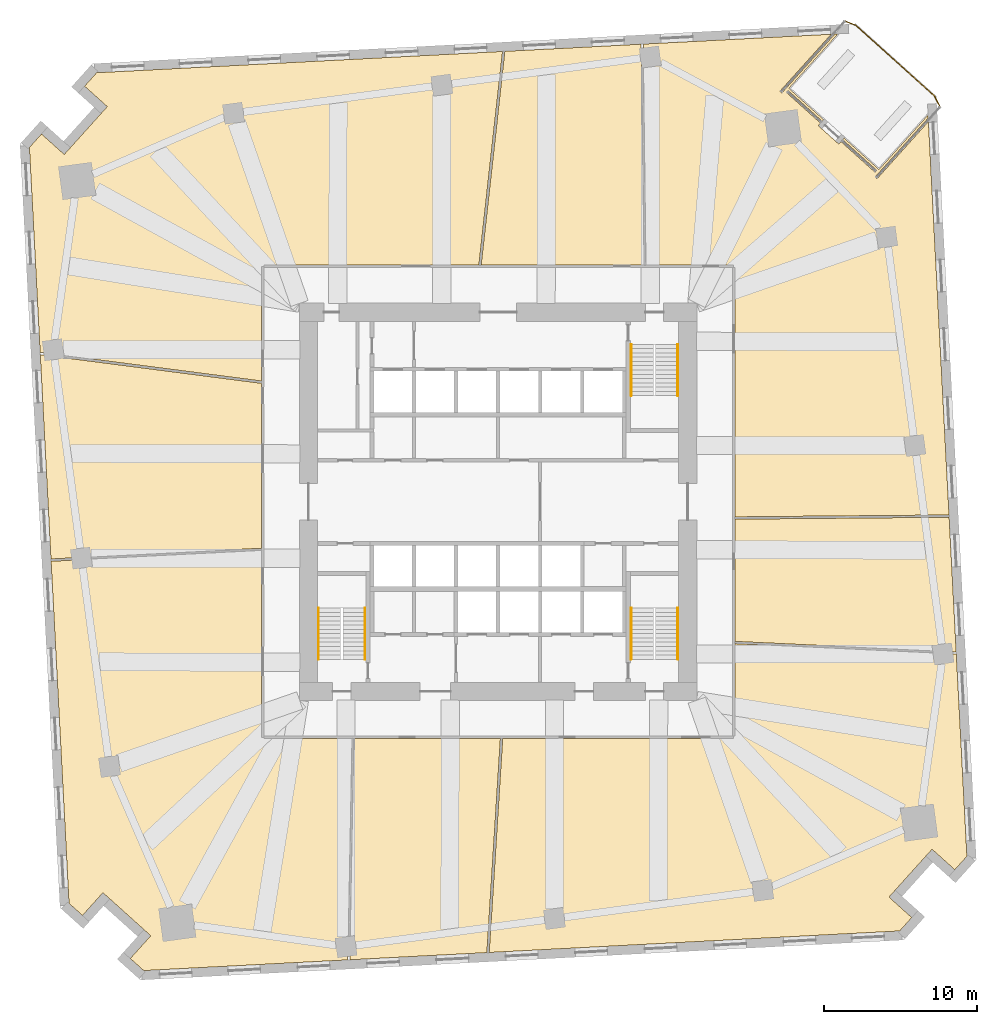
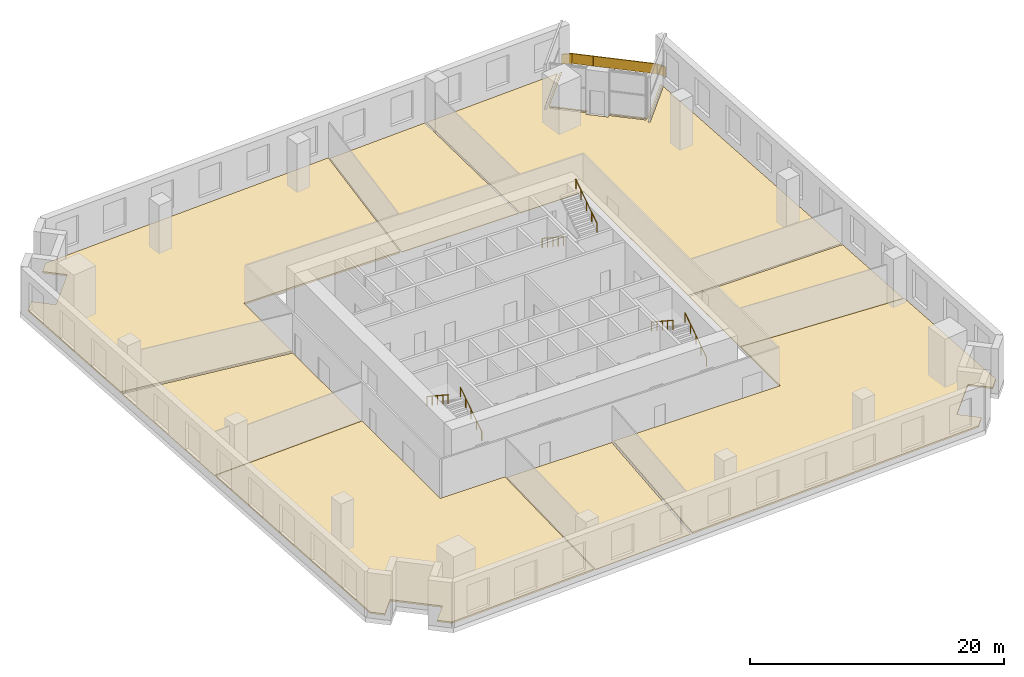
# One storey, part 9 of 10: 8 coverings, 7 railings.
"""IFC4 building model written with IfcOpenShell, lengths in metres."""

from ifc_helpers import new_model, si_unit, direction, frame, origin, origin_2d, place, context, subcontext, project, spatial, polyline, rectangle, circle, outline, extrude, material, layer, layer_set, type_object, element, save


model = new_model("IFC4")

# Units and contexts
model_context = context("Model", 3, precision=1e-05, world=origin(), true_north=direction((0.0, 1.0)))
body_context = subcontext(model_context, "Body", "Model", "MODEL_VIEW")
ifc_project = project(units=[si_unit("LENGTHUNIT", "METRE"), si_unit("AREAUNIT", "SQUARE_METRE"), si_unit("VOLUMEUNIT", "CUBIC_METRE"), si_unit("PLANEANGLEUNIT", "RADIAN"), si_unit("MASSUNIT", "GRAM", prefix="KILO")], contexts=[model_context])

# Site, building, storey
site_placement = place(None, origin())
site = spatial("IfcSite", under=ifc_project, at=site_placement, CompositionType="ELEMENT")
building_placement = place(site_placement, origin())
building = spatial("IfcBuilding", under=site, at=building_placement, Name="Dilmun Exchange Tower", CompositionType="ELEMENT")
storey_placement = place(building_placement, frame((0.0, 0.0, 32.10009765625)))
storey = spatial("IfcBuildingStorey", under=building, at=storey_placement, Name="L07", CompositionType="ELEMENT", Elevation=32.10009765625)

# Coverings
ifc_material_1 = material(Name="Carpet floor finish 50")
ifc_layer_1 = layer(ifc_material_1, 0.050048828125)
ifc_layer_set_1 = layer_set([ifc_layer_1], Name="Carpet floor finish 50")
covering_type_1 = type_object("IfcCoveringType", Name="Carpet floor finish 50", PredefinedType="FLOORING", material=ifc_layer_set_1)
covering_1_placement = place(storey_placement, origin())
element("IfcCovering", 1, at=covering_1_placement, inside=storey, type_object=covering_type_1, Name="Carpet floor finish 50 Trading support office 1", PredefinedType="FLOORING", context=body_context, shape_type="SweptSolid", body=[
    extrude(outline(polyline([(-15.47509765625, 7.75), (-15.47509765625, -3.034423828125), (-29.24267578125, -3.734619140625), (-29.942626953125, 9.6240234375), (-15.47509765625, 7.75)])), origin(), (0.0, 0.0, 1.0), 0.0498046875),
])
covering_2_placement = place(storey_placement, origin())
element("IfcCovering", 2, at=covering_2_placement, inside=storey, type_object=covering_type_1, Name="Carpet floor finish 50 Trading support office 2", PredefinedType="FLOORING", context=body_context, shape_type="SweptSolid", body=[
    extrude(outline(polyline([(0.14599609375, -15.47509765625), (-0.7373046875, -29.47705078125), (-9.691650390625, -29.9462890625), (-9.42041015625, -15.47509765625), (0.14599609375, -15.47509765625)])), origin(), (0.0, 0.0, 1.0), 0.0498046875),
])
covering_3_placement = place(storey_placement, origin())
element("IfcCovering", 3, at=covering_3_placement, inside=storey, type_object=covering_type_1, Name="Carpet floor finish 50 Trading support office 3", PredefinedType="FLOORING", context=body_context, shape_type="SweptSolid", body=[
    extrude(outline(polyline([(-1.112060546875, 15.47509765625), (0.4365234375, 29.461181640625), (9.347412109375, 29.92822265625), (9.529052734375, 15.47509765625), (-1.112060546875, 15.47509765625)])), origin(), (0.0, 0.0, 1.0), 0.0498046875),
])
covering_4_placement = place(storey_placement, origin())
element("IfcCovering", 4, at=covering_4_placement, inside=storey, type_object=covering_type_1, Name="Carpet floor finish 50 Garden lounge", PredefinedType="FLOORING", context=body_context, shape_type="SweptSolid", body=[
    extrude(outline(polyline([(19.01220703125, 27.039306640625), (21.287841796875, 24.990478515625), (21.192138671875, 24.88427734375), (18.972412109375, 26.8828125), (18.97216796875, 26.883056640625), (18.971923828125, 26.88330078125), (18.9716796875, 26.88330078125), (18.9716796875, 26.88330078125), (18.971435546875, 26.88330078125), (18.97119140625, 26.88330078125), (18.970947265625, 26.883544921875), (18.970703125, 26.88330078125), (18.970703125, 26.88330078125), (18.970458984375, 26.88330078125), (18.97021484375, 26.88330078125), (18.97021484375, 26.88330078125), (18.969970703125, 26.88330078125), (18.9697265625, 26.883056640625), (18.969482421875, 26.8828125), (18.969482421875, 26.8828125), (18.8623046875, 26.763916015625), (18.8623046875, 26.763671875), (18.8623046875, 26.763671875), (18.862060546875, 26.763427734375), (18.862060546875, 26.76318359375), (18.86181640625, 26.762939453125), (18.86181640625, 26.7626953125), (18.86181640625, 26.7626953125), (18.86181640625, 26.762451171875), (18.86181640625, 26.76220703125), (18.86181640625, 26.76220703125), (18.862060546875, 26.761962890625), (18.862060546875, 26.76171875), (18.8623046875, 26.761474609375), (18.8623046875, 26.761474609375), (18.8623046875, 26.76123046875), (18.862548828125, 26.760986328125), (21.082275390625, 24.762451171875), (20.9365234375, 24.600341796875), (20.936279296875, 24.60009765625), (20.936279296875, 24.60009765625), (20.93603515625, 24.599853515625), (20.93603515625, 24.599609375), (20.93603515625, 24.599609375), (20.93603515625, 24.599365234375), (20.93603515625, 24.59912109375), (20.93603515625, 24.59912109375), (20.93603515625, 24.598876953125), (20.93603515625, 24.5986328125), (20.93603515625, 24.598388671875), (20.936279296875, 24.59814453125), (20.936279296875, 24.597900390625), (20.936279296875, 24.597900390625), (20.9365234375, 24.59765625), (20.9365234375, 24.59765625), (22.2744140625, 23.39306640625), (22.2744140625, 23.392822265625), (22.274658203125, 23.392822265625), (22.27490234375, 23.392578125), (22.27490234375, 23.392578125), (22.275146484375, 23.392578125), (22.275390625, 23.392578125), (22.275634765625, 23.392578125), (22.27587890625, 23.392578125), (22.27587890625, 23.392578125), (22.276123046875, 23.392578125), (22.2763671875, 23.392578125), (22.276611328125, 23.392822265625), (22.276611328125, 23.392822265625), (22.27685546875, 23.39306640625), (22.277099609375, 23.39306640625), (22.277099609375, 23.393310546875), (22.423095703125, 23.55517578125), (24.642822265625, 21.556396484375), (24.64306640625, 21.556396484375), (24.64306640625, 21.55615234375), (24.643310546875, 21.55615234375), (24.6435546875, 21.55615234375), (24.643798828125, 21.555908203125), (24.643798828125, 21.555908203125), (24.64404296875, 21.555908203125), (24.644287109375, 21.555908203125), (24.64453125, 21.555908203125), (24.644775390625, 21.555908203125), (24.644775390625, 21.55615234375), (24.64501953125, 21.55615234375), (24.645263671875, 21.55615234375), (24.6455078125, 21.556396484375), (24.6455078125, 21.556396484375), (24.645751953125, 21.556640625), (24.752685546875, 21.675537109375), (24.752685546875, 21.67578125), (24.7529296875, 21.67578125), (24.7529296875, 21.676025390625), (24.753173828125, 21.67626953125), (24.753173828125, 21.676513671875), (24.753173828125, 21.676513671875), (24.753173828125, 21.6767578125), (24.753173828125, 21.677001953125), (24.753173828125, 21.67724609375), (24.753173828125, 21.67724609375), (24.753173828125, 21.677490234375), (24.7529296875, 21.677734375), (24.7529296875, 21.677978515625), (24.752685546875, 21.677978515625), (24.752685546875, 21.67822265625), (24.752685546875, 21.67822265625), (22.53271484375, 23.677001953125), (22.62841796875, 23.783447265625), (24.904052734375, 21.734619140625), (28.112548828125, 25.2978515625), (28.123291015625, 25.095947265625), (24.658935546875, 21.24853515625), (24.65869140625, 21.248291015625), (24.65869140625, 21.248291015625), (24.65869140625, 21.248046875), (24.65869140625, 21.247802734375), (24.658447265625, 21.247802734375), (24.658447265625, 21.24755859375), (24.658447265625, 21.247314453125), (24.658447265625, 21.2470703125), (24.658447265625, 21.246826171875), (24.658447265625, 21.24658203125), (24.65869140625, 21.24658203125), (24.65869140625, 21.246337890625), (24.65869140625, 21.24609375), (24.65869140625, 21.24609375), (24.658935546875, 21.245849609375), (24.6591796875, 21.24560546875), (24.778076171875, 21.138671875), (24.7783203125, 21.138671875), (24.7783203125, 21.138427734375), (24.778564453125, 21.138427734375), (24.77880859375, 21.13818359375), (24.77880859375, 21.13818359375), (24.779052734375, 21.13818359375), (24.779296875, 21.13818359375), (24.779541015625, 21.13818359375), (24.77978515625, 21.13818359375), (24.77978515625, 21.13818359375), (24.780029296875, 21.13818359375), (24.7802734375, 21.138427734375), (24.780517578125, 21.138427734375), (24.780517578125, 21.138671875), (24.78076171875, 21.138671875), (24.78076171875, 21.138916015625), (28.13525390625, 24.864501953125), (29.4833984375, -0.856689453125), (15.47509765625, -0.981689453125), (15.47509765625, 15.47509765625), (9.678955078125, 15.47509765625), (9.497314453125, 29.93603515625), (21.787109375, 30.580078125), (18.432861328125, 26.854736328125), (18.4326171875, 26.8544921875), (18.4326171875, 26.8544921875), (18.432373046875, 26.854248046875), (18.432373046875, 26.85400390625), (18.432373046875, 26.853759765625), (18.432373046875, 26.853515625), (18.432373046875, 26.853515625), (18.432373046875, 26.853271484375), (18.432373046875, 26.85302734375), (18.432373046875, 26.852783203125), (18.432373046875, 26.852783203125), (18.432373046875, 26.8525390625), (18.4326171875, 26.852294921875), (18.4326171875, 26.85205078125), (18.432861328125, 26.85205078125), (18.432861328125, 26.851806640625), (18.5517578125, 26.744873046875), (18.552001953125, 26.74462890625), (18.552001953125, 26.74462890625), (18.55224609375, 26.744384765625), (18.552490234375, 26.744384765625), (18.552734375, 26.744384765625), (18.552978515625, 26.744384765625), (18.552978515625, 26.744384765625), (18.55322265625, 26.744384765625), (18.553466796875, 26.744384765625), (18.5537109375, 26.744384765625), (18.5537109375, 26.744384765625), (18.553955078125, 26.744384765625), (18.55419921875, 26.74462890625), (18.55419921875, 26.74462890625), (18.554443359375, 26.744873046875), (18.5546875, 26.744873046875), (22.018798828125, 30.59228515625), (22.220703125, 30.602783203125), (19.01220703125, 27.039306640625)])), origin(), (0.0, 0.0, 1.0), 0.0498046875),
])
covering_5_placement = place(storey_placement, origin())
element("IfcCovering", 5, at=covering_5_placement, inside=storey, type_object=covering_type_1, Name="Carpet floor finish 50 Broker office", PredefinedType="FLOORING", context=body_context, shape_type="SweptSolid", body=[
    extrude(outline(polyline([(15.47509765625, -9.124267578125), (15.47509765625, -1.131591796875), (29.4912109375, -1.0068359375), (29.952392578125, -9.810546875), (15.47509765625, -9.124267578125)])), origin(), (0.0, 0.0, 1.0), 0.0498046875),
])
ifc_material_2 = material(Name="Raised access floor 150")
ifc_layer_2 = layer(ifc_material_2, 0.14990234375)
ifc_layer_set_2 = layer_set([ifc_layer_2], Name="Raised access floor 150")
covering_type_2 = type_object("IfcCoveringType", Name="Raised access floor 150", PredefinedType="FLOORING", material=ifc_layer_set_2)
covering_6_placement = place(storey_placement, origin())
element("IfcCovering", 6, at=covering_6_placement, inside=storey, type_object=covering_type_2, Name="Raised access floor 150 Trading hall 1", PredefinedType="FLOORING", context=body_context, shape_type="SweptSolid", body=[
    extrude(outline(polyline([(-15.47509765625, -3.184814453125), (-15.47509765625, -15.47509765625), (-9.5703125, -15.47509765625), (-9.841796875, -29.9541015625), (-23.17822265625, -30.653076171875), (-24.05810546875, -29.860595703125), (-22.72119140625, -28.3759765625), (-22.72119140625, -28.375732421875), (-22.720947265625, -28.37548828125), (-22.720947265625, -28.37548828125), (-22.720947265625, -28.375244140625), (-22.720703125, -28.375), (-22.720703125, -28.374755859375), (-22.720703125, -28.37451171875), (-22.720703125, -28.37451171875), (-22.720703125, -28.374267578125), (-22.720703125, -28.3740234375), (-22.720947265625, -28.373779296875), (-22.720947265625, -28.373779296875), (-22.720947265625, -28.37353515625), (-22.72119140625, -28.373291015625), (-22.72119140625, -28.373291015625), (-22.721435546875, -28.373046875), (-23.167236328125, -27.9716796875), (-23.167236328125, -27.9716796875), (-23.167236328125, -27.9716796875), (-25.396484375, -25.96435546875), (-25.396484375, -25.96435546875), (-25.396728515625, -25.964111328125), (-25.842529296875, -25.562744140625), (-25.8427734375, -25.5625), (-25.843017578125, -25.5625), (-25.843017578125, -25.562255859375), (-25.84326171875, -25.562255859375), (-25.843505859375, -25.562255859375), (-25.84375, -25.562255859375), (-25.84375, -25.562255859375), (-25.843994140625, -25.562255859375), (-25.84423828125, -25.562255859375), (-25.844482421875, -25.562255859375), (-25.844482421875, -25.562255859375), (-25.8447265625, -25.5625), (-25.844970703125, -25.5625), (-25.84521484375, -25.5625), (-25.84521484375, -25.562744140625), (-25.845458984375, -25.562744140625), (-27.182373046875, -27.047607421875), (-28.0625, -26.25537109375), (-29.23486328125, -3.88427734375), (-15.47509765625, -3.184814453125)])), origin(), (0.0, 0.0, 1.0), 0.14990234375),
])
covering_7_placement = place(storey_placement, origin())
element("IfcCovering", 7, at=covering_7_placement, inside=storey, type_object=covering_type_2, Name="Raised access floor 150 Trading hall 2", PredefinedType="FLOORING", context=body_context, shape_type="SweptSolid", body=[
    extrude(outline(polyline([(-1.262939453125, 15.47509765625), (-15.47509765625, 15.47509765625), (-15.47509765625, 7.901123046875), (-29.95068359375, 9.7763671875), (-30.653076171875, 23.17822265625), (-29.860595703125, 24.05810546875), (-28.3759765625, 22.72119140625), (-28.375732421875, 22.72119140625), (-28.37548828125, 22.720947265625), (-28.37548828125, 22.720947265625), (-28.375244140625, 22.720947265625), (-28.375, 22.720703125), (-28.374755859375, 22.720703125), (-28.37451171875, 22.720703125), (-28.37451171875, 22.720703125), (-28.374267578125, 22.720703125), (-28.3740234375, 22.720703125), (-28.373779296875, 22.720947265625), (-28.373779296875, 22.720947265625), (-28.37353515625, 22.720947265625), (-28.373291015625, 22.72119140625), (-28.373291015625, 22.72119140625), (-28.373046875, 22.721435546875), (-27.9716796875, 23.167236328125), (-27.9716796875, 23.167236328125), (-27.9716796875, 23.167236328125), (-25.96435546875, 25.396484375), (-25.96435546875, 25.396484375), (-25.964111328125, 25.396728515625), (-25.562744140625, 25.842529296875), (-25.5625, 25.8427734375), (-25.5625, 25.843017578125), (-25.562255859375, 25.843017578125), (-25.562255859375, 25.84326171875), (-25.562255859375, 25.843505859375), (-25.562255859375, 25.84375), (-25.562255859375, 25.84375), (-25.562255859375, 25.843994140625), (-25.562255859375, 25.84423828125), (-25.562255859375, 25.844482421875), (-25.562255859375, 25.844482421875), (-25.5625, 25.8447265625), (-25.5625, 25.844970703125), (-25.5625, 25.84521484375), (-25.562744140625, 25.84521484375), (-25.562744140625, 25.845458984375), (-27.047607421875, 27.182373046875), (-26.25537109375, 28.0625), (0.284912109375, 29.453369140625), (-1.262939453125, 15.47509765625)])), origin(), (0.0, 0.0, 1.0), 0.14990234375),
])
covering_8_placement = place(storey_placement, origin())
element("IfcCovering", 8, at=covering_8_placement, inside=storey, type_object=covering_type_2, Name="Raised access floor 150 Trading hall 3", PredefinedType="FLOORING", context=body_context, shape_type="SweptSolid", body=[
    extrude(outline(polyline([(0.29638671875, -15.47509765625), (15.47509765625, -15.47509765625), (15.47509765625, -9.2744140625), (29.96044921875, -9.961181640625), (30.653076171875, -23.17822265625), (29.860595703125, -24.05810546875), (28.3759765625, -22.72119140625), (28.375732421875, -22.72119140625), (28.37548828125, -22.720947265625), (28.37548828125, -22.720947265625), (28.375244140625, -22.720947265625), (28.375, -22.720703125), (28.374755859375, -22.720703125), (28.37451171875, -22.720703125), (28.37451171875, -22.720703125), (28.374267578125, -22.720703125), (28.3740234375, -22.720703125), (28.373779296875, -22.720947265625), (28.373779296875, -22.720947265625), (28.37353515625, -22.720947265625), (28.373291015625, -22.72119140625), (28.373291015625, -22.72119140625), (28.373046875, -22.721435546875), (27.9716796875, -23.167236328125), (27.9716796875, -23.167236328125), (27.9716796875, -23.167236328125), (25.96435546875, -25.396484375), (25.96435546875, -25.396484375), (25.964111328125, -25.396728515625), (25.562744140625, -25.842529296875), (25.5625, -25.8427734375), (25.5625, -25.843017578125), (25.562255859375, -25.843017578125), (25.562255859375, -25.84326171875), (25.562255859375, -25.843505859375), (25.562255859375, -25.84375), (25.562255859375, -25.84375), (25.562255859375, -25.843994140625), (25.562255859375, -25.84423828125), (25.562255859375, -25.844482421875), (25.562255859375, -25.844482421875), (25.5625, -25.8447265625), (25.5625, -25.844970703125), (25.5625, -25.84521484375), (25.562744140625, -25.84521484375), (25.562744140625, -25.845458984375), (27.047607421875, -27.182373046875), (26.25537109375, -28.0625), (-0.58642578125, -29.468994140625), (0.29638671875, -15.47509765625)])), origin(), (0.0, 0.0, 1.0), 0.14990234375),
])

# Railings
ifc_material_3 = material(Name="Stainless steel", Category="steel")
railing_type_1 = type_object("IfcRailingType", Name="Stair handrail 900", PredefinedType="HANDRAIL", material=ifc_material_3)
railing_1_placement = place(storey_placement, frame((8.699951171875, 10.300048828125, 0.1845703125)))
element("IfcRailing", 9, at=railing_1_placement, inside=storey, type_object=railing_type_1, Name="L07 ST1 stair handrail 1", PredefinedType="HANDRAIL", context=body_context, shape_type="SweptSolid", body=[
    extrude(circle(Radius=0.02392578125, at=origin_2d()), frame((0.0, 0.0, 0.8759765625), z_axis=(0.0, -0.834876476806, 0.550437342915), x_axis=(1.0, 0.0, 0.0)), (0.0, 0.0, 1.0), 4.024658203125),
    extrude(circle(Radius=0.02099609375, at=origin_2d()), origin(), (0.0, 0.0, 1.0), 0.851806640625),
    extrude(circle(Radius=0.02099609375, at=origin_2d()), frame((0.0, -0.840087890625, 0.5537109375)), (0.0, 0.0, 1.0), 0.851806640625),
    extrude(circle(Radius=0.02099609375, at=origin_2d()), frame((0.0, -1.68017578125, 1.107666015625)), (0.0, 0.0, 1.0), 0.851806640625),
    extrude(circle(Radius=0.02099609375, at=origin_2d()), frame((0.0, -2.52001953125, 1.66162109375)), (0.0, 0.0, 1.0), 0.851806640625),
    extrude(circle(Radius=0.02099609375, at=origin_2d()), frame((0.0, -3.360107421875, 2.21533203125)), (0.0, 0.0, 1.0), 0.851806640625),
])
for number, where, name in (
    (10, (11.75, 6.93994140625, 2.58447265625), "L07 ST1 stair handrail 2"),
    (11, (-8.699951171875, -10.300048828125, 0.1845703125), "L07 ST2 stair handrail 1"),
):
    element("IfcRailing", number, at=place(storey_placement, frame(where)), inside=storey, type_object=railing_type_1, Name=name, PredefinedType="HANDRAIL", context=body_context, shape_type="SweptSolid", body=[
        extrude(circle(Radius=0.02392578125, at=origin_2d()), frame((0.0, 0.0, 0.8759765625), z_axis=(0.0, 0.834876476806, 0.550437342915), x_axis=(-1.0, 0.0, 0.0)), (0.0, 0.0, 1.0), 4.024658203125),
        extrude(circle(Radius=0.02099609375, at=origin_2d()), origin(), (0.0, 0.0, 1.0), 0.851806640625),
        extrude(circle(Radius=0.02099609375, at=origin_2d()), frame((0.0, 0.840087890625, 0.5537109375)), (0.0, 0.0, 1.0), 0.851806640625),
        extrude(circle(Radius=0.02099609375, at=origin_2d()), frame((0.0, 1.68017578125, 1.107666015625)), (0.0, 0.0, 1.0), 0.851806640625),
        extrude(circle(Radius=0.02099609375, at=origin_2d()), frame((0.0, 2.52001953125, 1.66162109375)), (0.0, 0.0, 1.0), 0.851806640625),
        extrude(circle(Radius=0.02099609375, at=origin_2d()), frame((0.0, 3.360107421875, 2.21533203125)), (0.0, 0.0, 1.0), 0.851806640625),
    ])
railing_2_placement = place(storey_placement, frame((-11.75, -6.93994140625, 2.58447265625)))
element("IfcRailing", 12, at=railing_2_placement, inside=storey, type_object=railing_type_1, Name="L07 ST2 stair handrail 2", PredefinedType="HANDRAIL", context=body_context, shape_type="SweptSolid", body=[
    extrude(circle(Radius=0.02392578125, at=origin_2d()), frame((0.0, 0.0, 0.8759765625), z_axis=(0.0, -0.834876476806, 0.550437342915), x_axis=(1.0, 0.0, 0.0)), (0.0, 0.0, 1.0), 4.024658203125),
    extrude(circle(Radius=0.02099609375, at=origin_2d()), origin(), (0.0, 0.0, 1.0), 0.851806640625),
    extrude(circle(Radius=0.02099609375, at=origin_2d()), frame((0.0, -0.840087890625, 0.5537109375)), (0.0, 0.0, 1.0), 0.851806640625),
    extrude(circle(Radius=0.02099609375, at=origin_2d()), frame((0.0, -1.68017578125, 1.107666015625)), (0.0, 0.0, 1.0), 0.851806640625),
    extrude(circle(Radius=0.02099609375, at=origin_2d()), frame((0.0, -2.52001953125, 1.66162109375)), (0.0, 0.0, 1.0), 0.851806640625),
    extrude(circle(Radius=0.02099609375, at=origin_2d()), frame((0.0, -3.360107421875, 2.21533203125)), (0.0, 0.0, 1.0), 0.851806640625),
])
railing_3_placement = place(storey_placement, frame((11.75, -10.300048828125, 0.1845703125)))
element("IfcRailing", 13, at=railing_3_placement, inside=storey, type_object=railing_type_1, Name="L07 ST3 stair handrail 1", PredefinedType="HANDRAIL", context=body_context, shape_type="SweptSolid", body=[
    extrude(circle(Radius=0.02392578125, at=origin_2d()), frame((0.0, 0.0, 0.8759765625), z_axis=(0.0, 0.834876476806, 0.550437342915), x_axis=(-1.0, 0.0, 0.0)), (0.0, 0.0, 1.0), 4.024658203125),
    extrude(circle(Radius=0.02099609375, at=origin_2d()), origin(), (0.0, 0.0, 1.0), 0.851806640625),
    extrude(circle(Radius=0.02099609375, at=origin_2d()), frame((0.0, 0.840087890625, 0.5537109375)), (0.0, 0.0, 1.0), 0.851806640625),
    extrude(circle(Radius=0.02099609375, at=origin_2d()), frame((0.0, 1.68017578125, 1.107666015625)), (0.0, 0.0, 1.0), 0.851806640625),
    extrude(circle(Radius=0.02099609375, at=origin_2d()), frame((0.0, 2.52001953125, 1.66162109375)), (0.0, 0.0, 1.0), 0.851806640625),
    extrude(circle(Radius=0.02099609375, at=origin_2d()), frame((0.0, 3.360107421875, 2.21533203125)), (0.0, 0.0, 1.0), 0.851806640625),
])
railing_4_placement = place(storey_placement, frame((8.699951171875, -6.93994140625, 2.58447265625)))
element("IfcRailing", 14, at=railing_4_placement, inside=storey, type_object=railing_type_1, Name="L07 ST3 stair handrail 2", PredefinedType="HANDRAIL", context=body_context, shape_type="SweptSolid", body=[
    extrude(circle(Radius=0.02392578125, at=origin_2d()), frame((0.0, 0.0, 0.8759765625), z_axis=(0.0, -0.834876476806, 0.550437342915), x_axis=(1.0, 0.0, 0.0)), (0.0, 0.0, 1.0), 4.024658203125),
    extrude(circle(Radius=0.02099609375, at=origin_2d()), origin(), (0.0, 0.0, 1.0), 0.851806640625),
    extrude(circle(Radius=0.02099609375, at=origin_2d()), frame((0.0, -0.840087890625, 0.5537109375)), (0.0, 0.0, 1.0), 0.851806640625),
    extrude(circle(Radius=0.02099609375, at=origin_2d()), frame((0.0, -1.68017578125, 1.107666015625)), (0.0, 0.0, 1.0), 0.851806640625),
    extrude(circle(Radius=0.02099609375, at=origin_2d()), frame((0.0, -2.52001953125, 1.66162109375)), (0.0, 0.0, 1.0), 0.851806640625),
    extrude(circle(Radius=0.02099609375, at=origin_2d()), frame((0.0, -3.360107421875, 2.21533203125)), (0.0, 0.0, 1.0), 0.851806640625),
])
railing_type_2 = type_object("IfcRailingType", Name="Terrace guard 1100 stainless steel", PredefinedType="GUARDRAIL", material=ifc_material_3)
railing_5_placement = place(storey_placement, frame((22.67333984375, 31.44189453125, 0.0)))
element("IfcRailing", 15, at=railing_5_placement, inside=storey, type_object=railing_type_2, Name="Terrace guard 1", PredefinedType="GUARDRAIL", context=body_context, shape_type="SweptSolid", body=[
    extrude(circle(Radius=0.02392578125, at=origin_2d()), frame((0.0, 0.0, 1.076171875), z_axis=(0.929174341498, -0.369641776727, 0.0), x_axis=(0.369641776727, 0.929174341498, 0.0)), (0.0, 0.0, 1.0), 0.794677734375),
    extrude(rectangle(XDim=0.011962890625, YDim=0.951904296875, at=origin_2d()), frame((0.0, 0.0, 0.576171875), z_axis=(0.929174341498, -0.369641776727, 0.0), x_axis=(0.369641776727, 0.929174341498, 0.0)), (0.0, 0.0, 1.0), 0.794677734375),
    extrude(circle(Radius=0.02392578125, at=origin_2d()), frame((0.73828125, -0.293701171875, 1.076171875), z_axis=(0.743158424728, -0.669115502552, 0.0), x_axis=(0.669115502552, 0.743158424728, 0.0)), (0.0, 0.0, 1.0), 6.887939453125),
    extrude(rectangle(XDim=0.011962890625, YDim=0.951904296875, at=origin_2d()), frame((0.73828125, -0.293701171875, 0.576171875), z_axis=(0.743158424728, -0.669115502552, 0.0), x_axis=(0.669115502552, 0.743158424728, 0.0)), (0.0, 0.0, 1.0), 6.887939453125),
    extrude(circle(Radius=0.02392578125, at=origin_2d()), frame((5.857177734375, -4.902587890625, 1.076171875), z_axis=(0.464580964263, -0.88553064749, 0.0), x_axis=(0.88553064749, 0.464580964263, 0.0)), (0.0, 0.0, 1.0), 0.794677734375),
    extrude(rectangle(XDim=0.011962890625, YDim=0.951904296875, at=origin_2d()), frame((5.857177734375, -4.902587890625, 0.576171875), z_axis=(0.464580964263, -0.88553064749, 0.0), x_axis=(0.88553064749, 0.464580964263, 0.0)), (0.0, 0.0, 1.0), 0.794677734375),
    extrude(circle(Radius=0.02099609375, at=origin_2d()), origin(), (0.0, 0.0, 1.0), 1.052001953125),
    extrude(circle(Radius=0.02099609375, at=origin_2d()), frame((0.73828125, -0.293701171875, 0.0)), (0.0, 0.0, 1.0), 1.052001953125),
    extrude(circle(Radius=0.02099609375, at=origin_2d()), frame((2.01806640625, -1.44580078125, 0.0)), (0.0, 0.0, 1.0), 1.052001953125),
    extrude(circle(Radius=0.02099609375, at=origin_2d()), frame((3.2978515625, -2.59814453125, 0.0)), (0.0, 0.0, 1.0), 1.052001953125),
    extrude(circle(Radius=0.02099609375, at=origin_2d()), frame((4.577392578125, -3.75048828125, 0.0)), (0.0, 0.0, 1.0), 1.052001953125),
    extrude(circle(Radius=0.02099609375, at=origin_2d()), frame((5.857177734375, -4.902587890625, 0.0)), (0.0, 0.0, 1.0), 1.052001953125),
    extrude(circle(Radius=0.02099609375, at=origin_2d()), frame((6.226318359375, -5.606201171875, 0.0)), (0.0, 0.0, 1.0), 1.052001953125),
])

save(model, "model.ifc")
